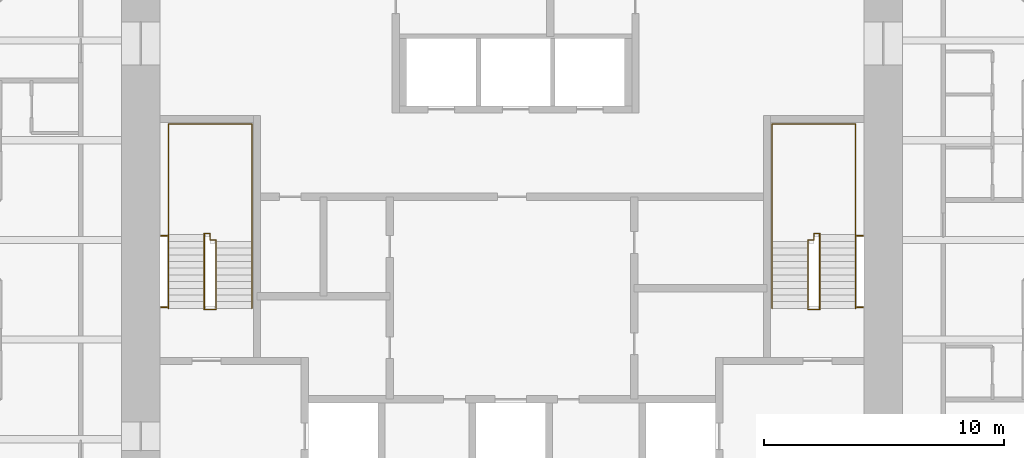
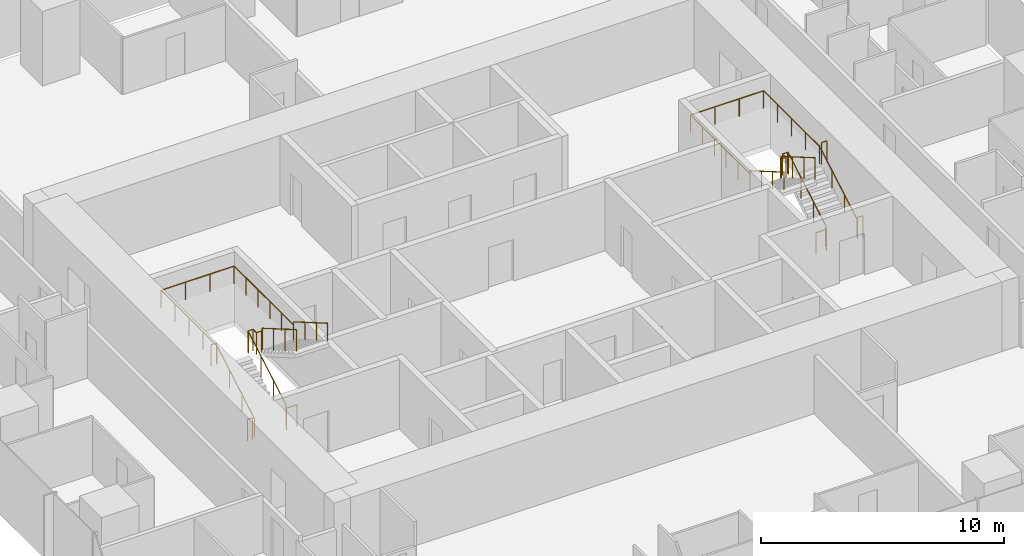
# One storey, part 12 of 12: 8 railings.
"""IFC4 building model written with IfcOpenShell, lengths in metres."""

from ifc_helpers import new_model, si_unit, direction, frame, origin, origin_2d, place, context, subcontext, project, spatial, circle, extrude, material, type_object, element, save


model = new_model("IFC4")

# Units and contexts
model_context = context("Model", 3, precision=1e-05, world=origin(), true_north=direction((0.0, 1.0)))
body_context = subcontext(model_context, "Body", "Model", "MODEL_VIEW")
ifc_project = project(units=[si_unit("LENGTHUNIT", "METRE"), si_unit("AREAUNIT", "SQUARE_METRE"), si_unit("VOLUMEUNIT", "CUBIC_METRE"), si_unit("PLANEANGLEUNIT", "RADIAN"), si_unit("MASSUNIT", "GRAM", prefix="KILO")], contexts=[model_context])

# Site, building, storey
site_placement = place(None, origin())
site = spatial("IfcSite", under=ifc_project, at=site_placement, CompositionType="ELEMENT")
building_placement = place(site_placement, origin())
building = spatial("IfcBuilding", under=site, at=building_placement, Name="Khuree Lantern Residences", CompositionType="ELEMENT")
storey_placement = place(building_placement, frame((0.0, 0.0, 233.25)))
storey = spatial("IfcBuildingStorey", under=building, at=storey_placement, Name="L58", CompositionType="ELEMENT", Elevation=233.25)

# Railings
ifc_material = material(Name="Steel S355", Category="steel")
railing_type_1 = type_object("IfcRailingType", Name="STAIR GUARD G1 1100", PredefinedType="GUARDRAIL", material=ifc_material)
railing_1_placement = place(storey_placement, frame((-12.35009765625, -2.909912109375, 0.0)))
element("IfcRailing", 1, at=railing_1_placement, inside=storey, type_object=railing_type_1, Name="Stair ST1 guard", PredefinedType="GUARDRAIL", context=body_context, shape_type="SweptSolid", body=[
    extrude(circle(Radius=0.02392578125, at=origin_2d()), frame((0.0, 0.0, 1.076171875), z_axis=(-1.0, 0.0, 0.0), x_axis=(0.0, -1.0, 0.0)), (0.0, 0.0, 1.0), 0.5),
    extrude(circle(Radius=0.02392578125, at=origin_2d()), frame((-0.5, 0.0, 1.076171875), z_axis=(0.0, 0.292073035251, 0.95639601739), x_axis=(-1.0, 0.0, 0.0)), (0.0, 0.0, 1.0), 0.17041015625),
    extrude(circle(Radius=0.02392578125, at=origin_2d()), frame((-0.5, 0.0498046875, 1.2392578125), z_axis=(0.0, 0.864176135923, 0.503189433615), x_axis=(-1.0, 0.0, 0.0)), (0.0, 0.0, 1.0), 3.564208984375),
    extrude(circle(Radius=0.02392578125, at=origin_2d()), frame((-0.5, 3.1298828125, 3.03271484375), z_axis=(0.0, 1.0, 0.0), x_axis=(-1.0, 0.0, 0.0)), (0.0, 0.0, 1.0), 0.050048828125),
    extrude(circle(Radius=0.02392578125, at=origin_2d()), frame((-0.5, 3.179931640625, 3.03271484375), z_axis=(1.0, 0.0, 0.0), x_axis=(0.0, 1.0, 0.0)), (0.0, 0.0, 1.0), 0.25),
    extrude(circle(Radius=0.02392578125, at=origin_2d()), frame((-0.25, 3.179931640625, 3.03271484375), z_axis=(0.0, -1.0, 0.0), x_axis=(1.0, 0.0, 0.0)), (0.0, 0.0, 1.0), 0.280029296875),
    extrude(circle(Radius=0.02392578125, at=origin_2d()), frame((-0.25, 2.89990234375, 3.03271484375), z_axis=(1.0, 0.0, 0.0), x_axis=(0.0, 1.0, 0.0)), (0.0, 0.0, 1.0), 0.25),
    extrude(circle(Radius=0.02392578125, at=origin_2d()), frame((0.0, 2.89990234375, 3.03271484375), z_axis=(0.0, -0.293381807449, 0.955995353053), x_axis=(1.0, 0.0, 0.0)), (0.0, 0.0, 1.0), 0.170654296875),
    extrude(circle(Radius=0.02392578125, at=origin_2d()), frame((0.0, 2.849853515625, 3.19580078125), z_axis=(0.0, -0.864180358799, 0.503182181189), x_axis=(1.0, 0.0, 0.0)), (0.0, 0.0, 1.0), 3.240234375),
    extrude(circle(Radius=0.02099609375, at=origin_2d()), origin(), (0.0, 0.0, 1.0), 1.052001953125),
    extrude(circle(Radius=0.02099609375, at=origin_2d()), frame((-0.5, 0.0, 0.0)), (0.0, 0.0, 1.0), 1.052001953125),
    extrude(circle(Radius=0.02099609375, at=origin_2d()), frame((-0.5, 0.0498046875, 0.1630859375)), (0.0, 0.0, 1.0), 1.052001953125),
    extrude(circle(Radius=0.02099609375, at=origin_2d()), frame((-0.5, 1.076416015625, 0.760986328125)), (0.0, 0.0, 1.0), 1.052001953125),
    extrude(circle(Radius=0.02099609375, at=origin_2d()), frame((-0.5, 2.103271484375, 1.358642578125)), (0.0, 0.0, 1.0), 1.052001953125),
    extrude(circle(Radius=0.02099609375, at=origin_2d()), frame((-0.5, 3.1298828125, 1.95654296875)), (0.0, 0.0, 1.0), 1.052001953125),
    extrude(circle(Radius=0.02099609375, at=origin_2d()), frame((-0.5, 3.179931640625, 1.95654296875)), (0.0, 0.0, 1.0), 1.052001953125),
    extrude(circle(Radius=0.02099609375, at=origin_2d()), frame((-0.25, 3.179931640625, 1.95654296875)), (0.0, 0.0, 1.0), 1.052001953125),
    extrude(circle(Radius=0.02099609375, at=origin_2d()), frame((-0.25, 2.89990234375, 1.95654296875)), (0.0, 0.0, 1.0), 1.052001953125),
    extrude(circle(Radius=0.02099609375, at=origin_2d()), frame((0.0, 2.89990234375, 1.95654296875)), (0.0, 0.0, 1.0), 1.052001953125),
    extrude(circle(Radius=0.02099609375, at=origin_2d()), frame((0.0, 2.849853515625, 2.11962890625)), (0.0, 0.0, 1.0), 1.052001953125),
    extrude(circle(Radius=0.02099609375, at=origin_2d()), frame((0.0, 1.91650390625, 2.6630859375)), (0.0, 0.0, 1.0), 1.052001953125),
    extrude(circle(Radius=0.02099609375, at=origin_2d()), frame((0.0, 0.983154296875, 3.20654296875)), (0.0, 0.0, 1.0), 1.052001953125),
    extrude(circle(Radius=0.02099609375, at=origin_2d()), frame((0.0, 0.0498046875, 3.75)), (0.0, 0.0, 1.0), 1.052001953125),
])
for number, where, name in (
    (2, (-14.64990234375, -2.81005859375, 0.0), "Stair ST1 landing slot guard"),
    (3, (-14.64990234375, 0.169921875, 1.95654296875), "Stair ST1 landing slot guard"),
):
    element("IfcRailing", number, at=place(storey_placement, frame(where)), inside=storey, type_object=railing_type_1, Name=name, PredefinedType="GUARDRAIL", context=body_context, shape_type="SweptSolid", body=[
        extrude(circle(Radius=0.02392578125, at=origin_2d()), frame((0.0, 0.0, 1.076171875), z_axis=(1.0, 0.0, 0.0), x_axis=(0.0, 1.0, 0.0)), (0.0, 0.0, 1.0), 0.25),
        extrude(circle(Radius=0.02099609375, at=origin_2d()), origin(), (0.0, 0.0, 1.0), 1.052001953125),
        extrude(circle(Radius=0.02099609375, at=origin_2d()), frame((0.25, 0.0, 0.0)), (0.0, 0.0, 1.0), 1.052001953125),
    ])
railing_2_placement = place(storey_placement, frame((12.35009765625, -2.909912109375, 0.0)))
element("IfcRailing", 4, at=railing_2_placement, inside=storey, type_object=railing_type_1, Name="Stair ST2 guard", PredefinedType="GUARDRAIL", context=body_context, shape_type="SweptSolid", body=[
    extrude(circle(Radius=0.02392578125, at=origin_2d()), frame((0.0, 0.0, 1.076171875), z_axis=(1.0, 0.0, 0.0), x_axis=(0.0, 1.0, 0.0)), (0.0, 0.0, 1.0), 0.5),
    extrude(circle(Radius=0.02392578125, at=origin_2d()), frame((0.5, 0.0, 1.076171875), z_axis=(0.0, 0.292073035251, 0.95639601739), x_axis=(-1.0, 0.0, 0.0)), (0.0, 0.0, 1.0), 0.17041015625),
    extrude(circle(Radius=0.02392578125, at=origin_2d()), frame((0.5, 0.0498046875, 1.2392578125), z_axis=(0.0, 0.864176135923, 0.503189433615), x_axis=(-1.0, 0.0, 0.0)), (0.0, 0.0, 1.0), 3.564208984375),
    extrude(circle(Radius=0.02392578125, at=origin_2d()), frame((0.5, 3.1298828125, 3.03271484375), z_axis=(0.0, 1.0, 0.0), x_axis=(-1.0, 0.0, 0.0)), (0.0, 0.0, 1.0), 0.050048828125),
    extrude(circle(Radius=0.02392578125, at=origin_2d()), frame((0.5, 3.179931640625, 3.03271484375), z_axis=(-1.0, 0.0, 0.0), x_axis=(0.0, -1.0, 0.0)), (0.0, 0.0, 1.0), 0.25),
    extrude(circle(Radius=0.02392578125, at=origin_2d()), frame((0.25, 3.179931640625, 3.03271484375), z_axis=(0.0, -1.0, 0.0), x_axis=(1.0, 0.0, 0.0)), (0.0, 0.0, 1.0), 0.280029296875),
    extrude(circle(Radius=0.02392578125, at=origin_2d()), frame((0.25, 2.89990234375, 3.03271484375), z_axis=(-1.0, 0.0, 0.0), x_axis=(0.0, -1.0, 0.0)), (0.0, 0.0, 1.0), 0.25),
    extrude(circle(Radius=0.02392578125, at=origin_2d()), frame((0.0, 2.89990234375, 3.03271484375), z_axis=(0.0, -0.293381807449, 0.955995353053), x_axis=(1.0, 0.0, 0.0)), (0.0, 0.0, 1.0), 0.170654296875),
    extrude(circle(Radius=0.02392578125, at=origin_2d()), frame((0.0, 2.849853515625, 3.19580078125), z_axis=(0.0, -0.864180358799, 0.503182181189), x_axis=(1.0, 0.0, 0.0)), (0.0, 0.0, 1.0), 3.240234375),
    extrude(circle(Radius=0.02099609375, at=origin_2d()), origin(), (0.0, 0.0, 1.0), 1.052001953125),
    extrude(circle(Radius=0.02099609375, at=origin_2d()), frame((0.5, 0.0, 0.0)), (0.0, 0.0, 1.0), 1.052001953125),
    extrude(circle(Radius=0.02099609375, at=origin_2d()), frame((0.5, 0.0498046875, 0.1630859375)), (0.0, 0.0, 1.0), 1.052001953125),
    extrude(circle(Radius=0.02099609375, at=origin_2d()), frame((0.5, 1.076416015625, 0.760986328125)), (0.0, 0.0, 1.0), 1.052001953125),
    extrude(circle(Radius=0.02099609375, at=origin_2d()), frame((0.5, 2.103271484375, 1.358642578125)), (0.0, 0.0, 1.0), 1.052001953125),
    extrude(circle(Radius=0.02099609375, at=origin_2d()), frame((0.5, 3.1298828125, 1.95654296875)), (0.0, 0.0, 1.0), 1.052001953125),
    extrude(circle(Radius=0.02099609375, at=origin_2d()), frame((0.5, 3.179931640625, 1.95654296875)), (0.0, 0.0, 1.0), 1.052001953125),
    extrude(circle(Radius=0.02099609375, at=origin_2d()), frame((0.25, 3.179931640625, 1.95654296875)), (0.0, 0.0, 1.0), 1.052001953125),
    extrude(circle(Radius=0.02099609375, at=origin_2d()), frame((0.25, 2.89990234375, 1.95654296875)), (0.0, 0.0, 1.0), 1.052001953125),
    extrude(circle(Radius=0.02099609375, at=origin_2d()), frame((0.0, 2.89990234375, 1.95654296875)), (0.0, 0.0, 1.0), 1.052001953125),
    extrude(circle(Radius=0.02099609375, at=origin_2d()), frame((0.0, 2.849853515625, 2.11962890625)), (0.0, 0.0, 1.0), 1.052001953125),
    extrude(circle(Radius=0.02099609375, at=origin_2d()), frame((0.0, 1.91650390625, 2.6630859375)), (0.0, 0.0, 1.0), 1.052001953125),
    extrude(circle(Radius=0.02099609375, at=origin_2d()), frame((0.0, 0.983154296875, 3.20654296875)), (0.0, 0.0, 1.0), 1.052001953125),
    extrude(circle(Radius=0.02099609375, at=origin_2d()), frame((0.0, 0.0498046875, 3.75)), (0.0, 0.0, 1.0), 1.052001953125),
])
for number, where, name in (
    (5, (14.64990234375, -2.81005859375, 0.0), "Stair ST2 landing slot guard"),
    (6, (14.64990234375, 0.169921875, 1.95654296875), "Stair ST2 landing slot guard"),
):
    element("IfcRailing", number, at=place(storey_placement, frame(where)), inside=storey, type_object=railing_type_1, Name=name, PredefinedType="GUARDRAIL", context=body_context, shape_type="SweptSolid", body=[
        extrude(circle(Radius=0.02392578125, at=origin_2d()), frame((0.0, 0.0, 1.076171875), z_axis=(-1.0, 0.0, 0.0), x_axis=(0.0, -1.0, 0.0)), (0.0, 0.0, 1.0), 0.25),
        extrude(circle(Radius=0.02099609375, at=origin_2d()), origin(), (0.0, 0.0, 1.0), 1.052001953125),
        extrude(circle(Radius=0.02099609375, at=origin_2d()), frame((-0.25, 0.0, 0.0)), (0.0, 0.0, 1.0), 1.052001953125),
    ])
railing_type_2 = type_object("IfcRailingType", Name="STAIR HANDRAIL H1 900", PredefinedType="HANDRAIL", material=ifc_material)
railing_3_placement = place(storey_placement, frame((-14.340087890625, -2.860107421875, 0.1630859375)))
element("IfcRailing", 7, at=railing_3_placement, inside=storey, type_object=railing_type_2, Name="Stair ST1 handrail", PredefinedType="HANDRAIL", context=body_context, shape_type="SweptSolid", body=[
    extrude(circle(Radius=0.02392578125, at=origin_2d()), frame((0.0, 0.0, 0.8759765625), z_axis=(0.0, 0.864176135923, 0.503189433615), x_axis=(-1.0, 0.0, 0.0)), (0.0, 0.0, 1.0), 3.564208984375),
    extrude(circle(Radius=0.02392578125, at=origin_2d()), frame((0.0, 3.080078125, 2.66943359375), z_axis=(0.0, 1.0, 0.0), x_axis=(-1.0, 0.0, 0.0)), (0.0, 0.0, 1.0), 4.6201171875),
    extrude(circle(Radius=0.02392578125, at=origin_2d()), frame((0.0, 7.7001953125, 2.66943359375), z_axis=(1.0, 0.0, 0.0), x_axis=(0.0, 1.0, 0.0)), (0.0, 0.0, 1.0), 3.47998046875),
    extrude(circle(Radius=0.02392578125, at=origin_2d()), frame((3.47998046875, 7.7001953125, 2.66943359375), z_axis=(0.0, -1.0, 0.0), x_axis=(1.0, 0.0, 0.0)), (0.0, 0.0, 1.0), 4.900146484375),
    extrude(circle(Radius=0.02392578125, at=origin_2d()), frame((3.47998046875, 2.800048828125, 2.66943359375), z_axis=(0.0, 0.0, 1.0), x_axis=(1.0, 0.0, 0.0)), (0.0, 0.0, 1.0), 0.1630859375),
    extrude(circle(Radius=0.02392578125, at=origin_2d()), frame((3.47998046875, 2.800048828125, 2.83251953125), z_axis=(0.0, -0.864180358799, 0.503182181189), x_axis=(1.0, 0.0, 0.0)), (0.0, 0.0, 1.0), 3.240234375),
    extrude(circle(Radius=0.02099609375, at=origin_2d()), origin(), (0.0, 0.0, 1.0), 0.851806640625),
    extrude(circle(Radius=0.02099609375, at=origin_2d()), frame((0.0, 1.026611328125, 0.597900390625)), (0.0, 0.0, 1.0), 0.851806640625),
    extrude(circle(Radius=0.02099609375, at=origin_2d()), frame((0.0, 2.053466796875, 1.195556640625)), (0.0, 0.0, 1.0), 0.851806640625),
    extrude(circle(Radius=0.02099609375, at=origin_2d()), frame((0.0, 3.080078125, 1.79345703125)), (0.0, 0.0, 1.0), 0.851806640625),
    extrude(circle(Radius=0.02099609375, at=origin_2d()), frame((0.0, 4.235107421875, 1.79345703125)), (0.0, 0.0, 1.0), 0.851806640625),
    extrude(circle(Radius=0.02099609375, at=origin_2d()), frame((0.0, 5.39013671875, 1.79345703125)), (0.0, 0.0, 1.0), 0.851806640625),
    extrude(circle(Radius=0.02099609375, at=origin_2d()), frame((0.0, 6.545166015625, 1.79345703125)), (0.0, 0.0, 1.0), 0.851806640625),
    extrude(circle(Radius=0.02099609375, at=origin_2d()), frame((0.0, 7.7001953125, 1.79345703125)), (0.0, 0.0, 1.0), 0.851806640625),
    extrude(circle(Radius=0.02099609375, at=origin_2d()), frame((1.159912109375, 7.7001953125, 1.79345703125)), (0.0, 0.0, 1.0), 0.851806640625),
    extrude(circle(Radius=0.02099609375, at=origin_2d()), frame((2.320068359375, 7.7001953125, 1.79345703125)), (0.0, 0.0, 1.0), 0.851806640625),
    extrude(circle(Radius=0.02099609375, at=origin_2d()), frame((3.47998046875, 7.7001953125, 1.79345703125)), (0.0, 0.0, 1.0), 0.851806640625),
    extrude(circle(Radius=0.02099609375, at=origin_2d()), frame((3.47998046875, 6.72021484375, 1.79345703125)), (0.0, 0.0, 1.0), 0.851806640625),
    extrude(circle(Radius=0.02099609375, at=origin_2d()), frame((3.47998046875, 5.740234375, 1.79345703125)), (0.0, 0.0, 1.0), 0.851806640625),
    extrude(circle(Radius=0.02099609375, at=origin_2d()), frame((3.47998046875, 4.760009765625, 1.79345703125)), (0.0, 0.0, 1.0), 0.851806640625),
    extrude(circle(Radius=0.02099609375, at=origin_2d()), frame((3.47998046875, 3.780029296875, 1.79345703125)), (0.0, 0.0, 1.0), 0.851806640625),
    extrude(circle(Radius=0.02099609375, at=origin_2d()), frame((3.47998046875, 2.800048828125, 1.79345703125)), (0.0, 0.0, 1.0), 0.851806640625),
    extrude(circle(Radius=0.02099609375, at=origin_2d()), frame((3.47998046875, 2.800048828125, 1.95654296875)), (0.0, 0.0, 1.0), 0.851806640625),
    extrude(circle(Radius=0.02099609375, at=origin_2d()), frame((3.47998046875, 1.86669921875, 2.5)), (0.0, 0.0, 1.0), 0.851806640625),
    extrude(circle(Radius=0.02099609375, at=origin_2d()), frame((3.47998046875, 0.933349609375, 3.04345703125)), (0.0, 0.0, 1.0), 0.851806640625),
    extrude(circle(Radius=0.02099609375, at=origin_2d()), frame((3.47998046875, 0.0, 3.5869140625)), (0.0, 0.0, 1.0), 0.851806640625),
])
railing_4_placement = place(storey_placement, frame((14.340087890625, -2.860107421875, 0.1630859375)))
element("IfcRailing", 8, at=railing_4_placement, inside=storey, type_object=railing_type_2, Name="Stair ST2 handrail", PredefinedType="HANDRAIL", context=body_context, shape_type="SweptSolid", body=[
    extrude(circle(Radius=0.02392578125, at=origin_2d()), frame((0.0, 0.0, 0.8759765625), z_axis=(0.0, 0.864176135923, 0.503189433615), x_axis=(-1.0, 0.0, 0.0)), (0.0, 0.0, 1.0), 3.564208984375),
    extrude(circle(Radius=0.02392578125, at=origin_2d()), frame((0.0, 3.080078125, 2.66943359375), z_axis=(0.0, 1.0, 0.0), x_axis=(-1.0, 0.0, 0.0)), (0.0, 0.0, 1.0), 4.6201171875),
    extrude(circle(Radius=0.02392578125, at=origin_2d()), frame((0.0, 7.7001953125, 2.66943359375), z_axis=(-1.0, 0.0, 0.0), x_axis=(0.0, -1.0, 0.0)), (0.0, 0.0, 1.0), 3.47998046875),
    extrude(circle(Radius=0.02392578125, at=origin_2d()), frame((-3.47998046875, 7.7001953125, 2.66943359375), z_axis=(0.0, -1.0, 0.0), x_axis=(1.0, 0.0, 0.0)), (0.0, 0.0, 1.0), 4.900146484375),
    extrude(circle(Radius=0.02392578125, at=origin_2d()), frame((-3.47998046875, 2.800048828125, 2.66943359375), z_axis=(0.0, 0.0, 1.0), x_axis=(1.0, 0.0, 0.0)), (0.0, 0.0, 1.0), 0.1630859375),
    extrude(circle(Radius=0.02392578125, at=origin_2d()), frame((-3.47998046875, 2.800048828125, 2.83251953125), z_axis=(0.0, -0.864180358799, 0.503182181189), x_axis=(1.0, 0.0, 0.0)), (0.0, 0.0, 1.0), 3.240234375),
    extrude(circle(Radius=0.02099609375, at=origin_2d()), origin(), (0.0, 0.0, 1.0), 0.851806640625),
    extrude(circle(Radius=0.02099609375, at=origin_2d()), frame((0.0, 1.026611328125, 0.597900390625)), (0.0, 0.0, 1.0), 0.851806640625),
    extrude(circle(Radius=0.02099609375, at=origin_2d()), frame((0.0, 2.053466796875, 1.195556640625)), (0.0, 0.0, 1.0), 0.851806640625),
    extrude(circle(Radius=0.02099609375, at=origin_2d()), frame((0.0, 3.080078125, 1.79345703125)), (0.0, 0.0, 1.0), 0.851806640625),
    extrude(circle(Radius=0.02099609375, at=origin_2d()), frame((0.0, 4.235107421875, 1.79345703125)), (0.0, 0.0, 1.0), 0.851806640625),
    extrude(circle(Radius=0.02099609375, at=origin_2d()), frame((0.0, 5.39013671875, 1.79345703125)), (0.0, 0.0, 1.0), 0.851806640625),
    extrude(circle(Radius=0.02099609375, at=origin_2d()), frame((0.0, 6.545166015625, 1.79345703125)), (0.0, 0.0, 1.0), 0.851806640625),
    extrude(circle(Radius=0.02099609375, at=origin_2d()), frame((0.0, 7.7001953125, 1.79345703125)), (0.0, 0.0, 1.0), 0.851806640625),
    extrude(circle(Radius=0.02099609375, at=origin_2d()), frame((-1.159912109375, 7.7001953125, 1.79345703125)), (0.0, 0.0, 1.0), 0.851806640625),
    extrude(circle(Radius=0.02099609375, at=origin_2d()), frame((-2.320068359375, 7.7001953125, 1.79345703125)), (0.0, 0.0, 1.0), 0.851806640625),
    extrude(circle(Radius=0.02099609375, at=origin_2d()), frame((-3.47998046875, 7.7001953125, 1.79345703125)), (0.0, 0.0, 1.0), 0.851806640625),
    extrude(circle(Radius=0.02099609375, at=origin_2d()), frame((-3.47998046875, 6.72021484375, 1.79345703125)), (0.0, 0.0, 1.0), 0.851806640625),
    extrude(circle(Radius=0.02099609375, at=origin_2d()), frame((-3.47998046875, 5.740234375, 1.79345703125)), (0.0, 0.0, 1.0), 0.851806640625),
    extrude(circle(Radius=0.02099609375, at=origin_2d()), frame((-3.47998046875, 4.760009765625, 1.79345703125)), (0.0, 0.0, 1.0), 0.851806640625),
    extrude(circle(Radius=0.02099609375, at=origin_2d()), frame((-3.47998046875, 3.780029296875, 1.79345703125)), (0.0, 0.0, 1.0), 0.851806640625),
    extrude(circle(Radius=0.02099609375, at=origin_2d()), frame((-3.47998046875, 2.800048828125, 1.79345703125)), (0.0, 0.0, 1.0), 0.851806640625),
    extrude(circle(Radius=0.02099609375, at=origin_2d()), frame((-3.47998046875, 2.800048828125, 1.95654296875)), (0.0, 0.0, 1.0), 0.851806640625),
    extrude(circle(Radius=0.02099609375, at=origin_2d()), frame((-3.47998046875, 1.86669921875, 2.5)), (0.0, 0.0, 1.0), 0.851806640625),
    extrude(circle(Radius=0.02099609375, at=origin_2d()), frame((-3.47998046875, 0.933349609375, 3.04345703125)), (0.0, 0.0, 1.0), 0.851806640625),
    extrude(circle(Radius=0.02099609375, at=origin_2d()), frame((-3.47998046875, 0.0, 3.5869140625)), (0.0, 0.0, 1.0), 0.851806640625),
])

save(model, "model.ifc")
